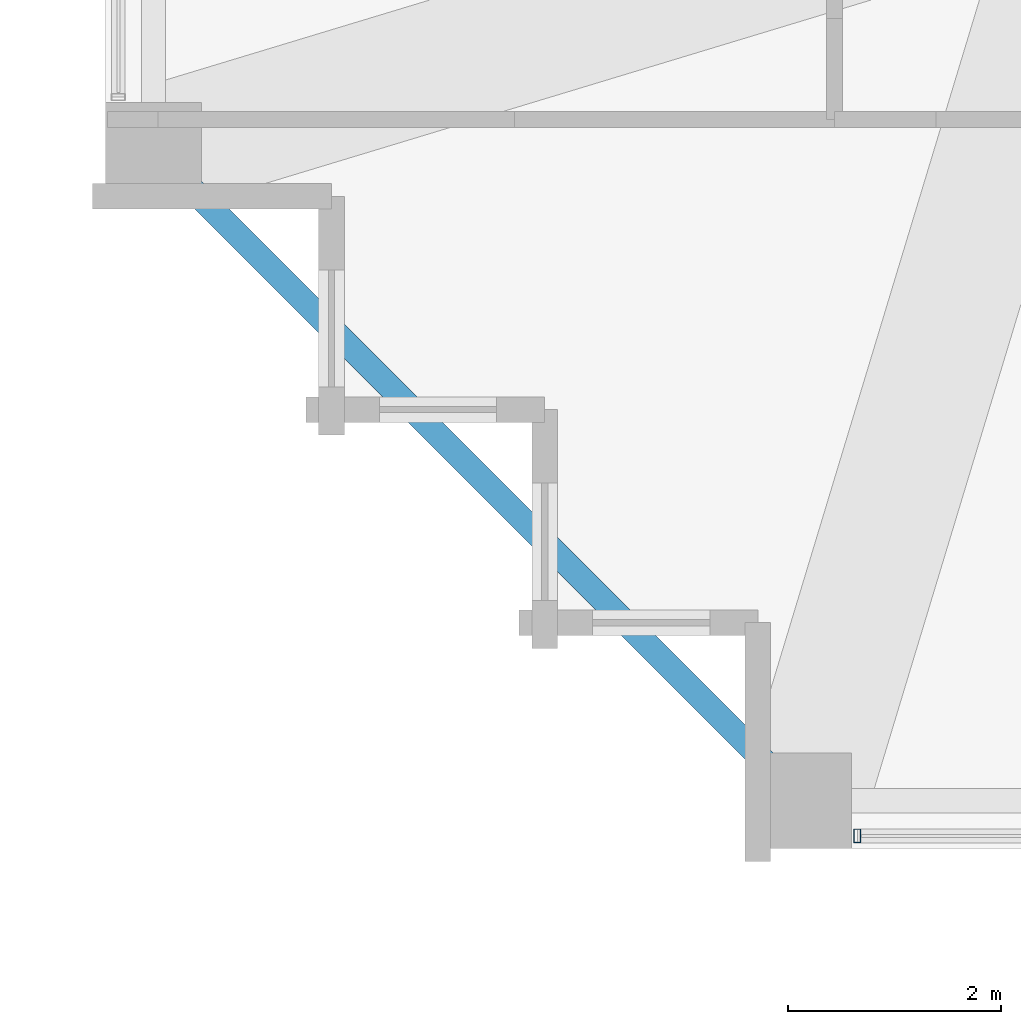
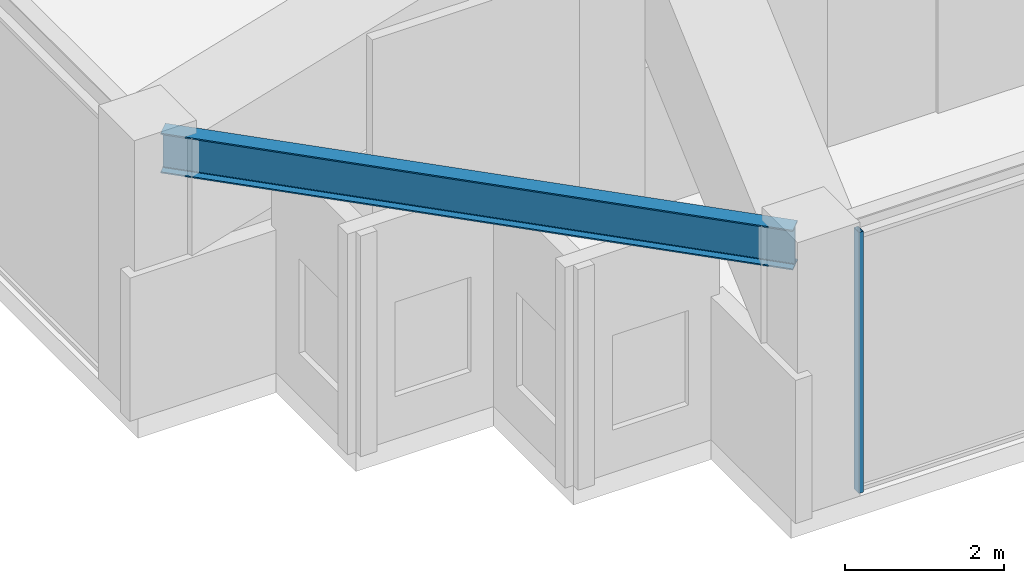
# One storey, part 2 of 33: 1 beam, 1 member, 1 element without a shape of its own.
"""IFC4 building model written with IfcOpenShell, lengths in metres."""

from ifc_helpers import new_model, si_unit, direction, frame, origin, origin_2d, place, context, subcontext, project, spatial, hollow_rectangle, i_section, extrude, material, material_profile, profile_set, type_object, element, aggregate, save


model = new_model("IFC4")

# Units and contexts
model_context = context("Model", 3, precision=1e-05, world=origin(), true_north=direction((0.0, 1.0)))
body_context = subcontext(model_context, "Body", "Model", "MODEL_VIEW")
ifc_project = project(units=[si_unit("LENGTHUNIT", "METRE"), si_unit("AREAUNIT", "SQUARE_METRE"), si_unit("VOLUMEUNIT", "CUBIC_METRE"), si_unit("PLANEANGLEUNIT", "RADIAN"), si_unit("MASSUNIT", "GRAM", prefix="KILO")], contexts=[model_context])

# Site, building, storey
site_placement = place(None, origin())
site = spatial("IfcSite", under=ifc_project, at=site_placement, CompositionType="ELEMENT")
building_placement = place(site_placement, origin())
building = spatial("IfcBuilding", under=site, at=building_placement, Name="Kolvaren Belvedere", CompositionType="ELEMENT")
storey_placement = place(building_placement, frame((0.0, 0.0, 152.699951171875)))
storey = spatial("IfcBuildingStorey", under=building, at=storey_placement, Name="L44", CompositionType="ELEMENT", Elevation=152.699951171875)

# Beam
ifc_material_1 = material(Name="Structural steel ASTM A992 Grade 50", Category="steel")
ifc_material_profile_1 = material_profile(ifc_material_1, i_section(OverallWidth=0.22900390625, OverallDepth=0.612060546875, WebThickness=0.011962890625, FlangeThickness=0.01953125, FilletRadius=0.01806640625, at=origin_2d()), Name="W24X84")
ifc_profile_set_1 = profile_set([ifc_material_profile_1], Name="Structural steel ASTM A992 Grade 50")
beam_type = type_object("IfcBeamType", Name="BM-SPAN-W24X84", PredefinedType="SPANDREL", material=ifc_profile_set_1)
beam_placement = place(storey_placement, frame((-18.5068359375, -12.693115234375, 3.694091796875), z_axis=(0.707106781187, -0.707106781187, 0.0), x_axis=(0.707106781187, 0.707106781187, 0.0)))
element("IfcBeam", 1, at=beam_placement, inside=storey, type_object=beam_type, Name="L44 Perimeter Spandrel W1-S1", PredefinedType="SPANDREL", context=body_context, shape_type="SweptSolid", body=[
    extrude(i_section(OverallWidth=0.22900390625, OverallDepth=0.612060546875, WebThickness=0.011962890625, FlangeThickness=0.01953125, FilletRadius=0.01806640625, at=origin_2d()), origin(), (0.0, 0.0, 1.0), 8.221923828125),
])

# Curtain wall, member
ifc_material_2 = material(Name="Anodised pale-metal aluminium AA 6063-T6", Category="aluminium")
curtain_wall_type = type_object("IfcCurtainWallType", Name="CW-Z3-WAIST", PredefinedType="NOTDEFINED", material=ifc_material_2)
curtain_wall_placement = place(storey_placement, origin())
curtain_wall = element("IfcCurtainWall", 2, at=curtain_wall_placement, inside=storey, type_object=curtain_wall_type, Name="L44 Unitised Curtain Wall FCW-L44-S2-B2", PredefinedType="NOTDEFINED")
ifc_material_3 = material(Name="Anodised pale-metal aluminium AA 6063-T6", Category="aluminium")
ifc_material_profile_2 = material_profile(ifc_material_3, hollow_rectangle(XDim=0.06494140625, YDim=0.1298828125, WallThickness=0.00390625, at=origin_2d()), Name="ALU-MUL-130X65")
ifc_profile_set_2 = profile_set([ifc_material_profile_2], Name="Anodised pale-metal aluminium AA 6063-T6")
member_type = type_object("IfcMemberType", Name="CW-MUL-130", PredefinedType="MULLION", material=ifc_profile_set_2)
member_placement = place(storey_placement, frame((-12.047607421875, -18.97998046875, 0.0), z_axis=(0.0, 0.0, 1.0), x_axis=(1.0, 0.0, 0.0)))
member = element("IfcMember", 3, at=member_placement, type_object=member_type, Name="FCW-L44-S2-B2 Unitised Mullion 3", PredefinedType="MULLION", context=body_context, shape_type="SweptSolid", body=[
    extrude(hollow_rectangle(XDim=0.06494140625, YDim=0.1298828125, WallThickness=0.00390625, at=origin_2d()), origin(), (0.0, 0.0, 1.0), 4.0),
])
aggregate(curtain_wall, [member])

save(model, "model.ifc")
